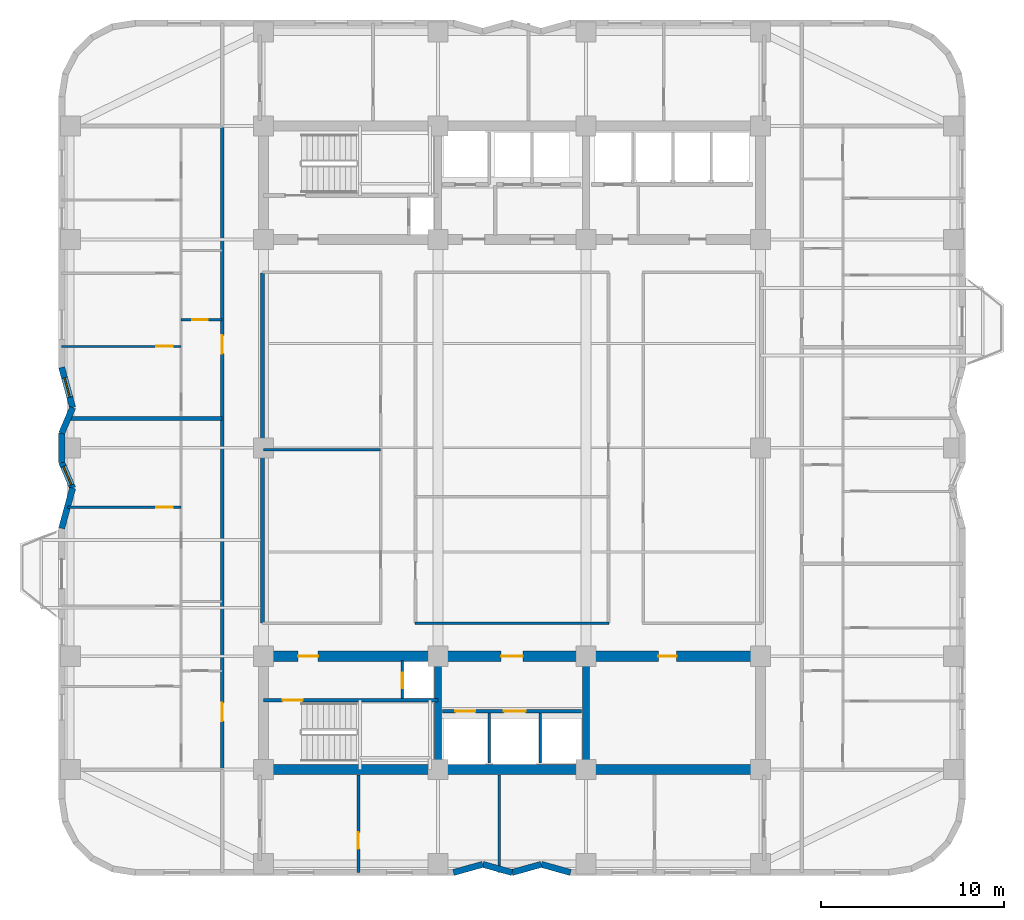
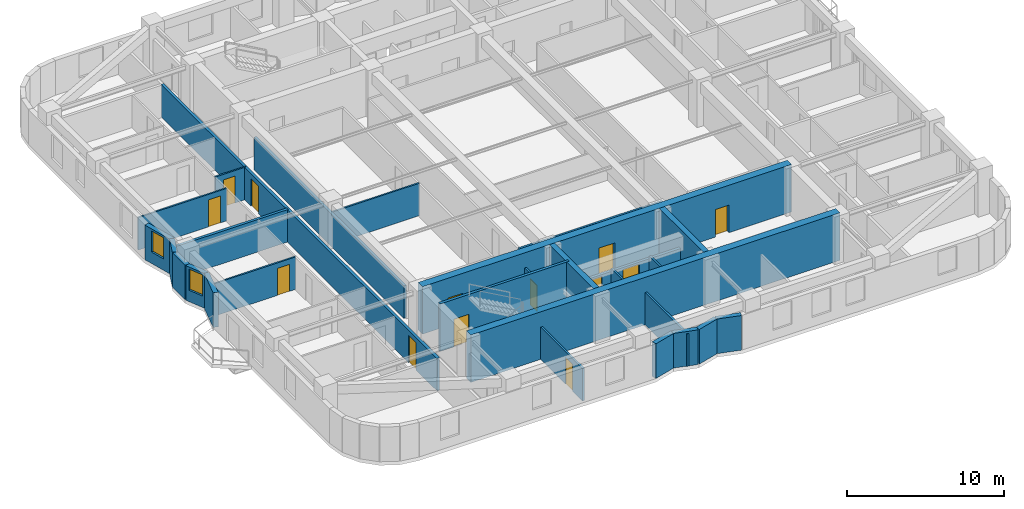
# One storey, part 3 of 9: 28 walls, 13 doors, 2 windows, 15 openings.
"""IFC4 building model written with IfcOpenShell, lengths in metres."""

import ifcopenshell
import ifcopenshell.guid

model = None  # the IFC model being written
_history = None  # IfcOwnerHistory: only IFC2X3 demands one
_inside = {}  # id of a spatial element -> (the spatial element, [elements in it])
_under = {}  # id of a project, library or spatial element -> (it, [spatial elements below it])
_declared = {}  # id of a project -> (the project, [libraries it declares])
_typed = {}  # id of a type object -> (the type object, [elements of that type])
_made_of = {}  # id of a material, layer set ... -> (it, [elements and type objects made of it])


def new_model(schema):
    """Start an empty IFC model of exactly this schema.

    Asked for "IFC4X3", IfcOpenShell would pick the latest addendum, in which some entities
    have other attributes; the version numbers below select the first issue.
    IFC2X3 requires an IfcOwnerHistory on every rooted entity: one is made here for all.
    """
    global model, _history
    if schema == "IFC4X3":
        model = ifcopenshell.file(schema_version=(4, 3, 0, 0))
    else:
        model = ifcopenshell.file(schema=schema)
    _inside.clear()
    _under.clear()
    _declared.clear()
    _typed.clear()
    _made_of.clear()
    _history = None
    if model.schema == "IFC2X3":
        org = make("IfcOrganization", Name="unknown")
        user = make(
            "IfcPersonAndOrganization",
            ThePerson=make("IfcPerson", FamilyName="unknown"),
            TheOrganization=org,
        )
        app = make(
            "IfcApplication",
            ApplicationDeveloper=org,
            Version="unknown",
            ApplicationFullName="unknown",
            ApplicationIdentifier="unknown",
        )
        _history = make(
            "IfcOwnerHistory",
            OwningUser=user,
            OwningApplication=app,
            ChangeAction="ADDED",
            CreationDate=0,
        )
    return model


def make(cls, **values):
    """One entity of the class cls with the attributes given. An attribute that is None is left unset."""
    return model.create_entity(
        cls, **{name: value for name, value in values.items() if value is not None}
    )


def rooted(cls, **values):
    """An entity with a GlobalId (a new one), such as an element, a storey or a relation."""
    return make(cls, GlobalId=ifcopenshell.guid.new(), OwnerHistory=_history, **values)


def si_unit(unit_type, name, prefix=None):
    """IfcSIUnit, for example si_unit("LENGTHUNIT", "METRE", prefix="MILLI")."""
    return make("IfcSIUnit", UnitType=unit_type, Prefix=prefix, Name=name)


def assignment(units):
    """IfcUnitAssignment: the units of a project."""
    return None if units is None else make("IfcUnitAssignment", Units=units)


def point(xyz):
    """IfcCartesianPoint."""
    return None if xyz is None else make("IfcCartesianPoint", Coordinates=xyz)


def direction(xyz):
    """IfcDirection."""
    return None if xyz is None else make("IfcDirection", DirectionRatios=xyz)


def frame(location, z_axis=None, x_axis=None):
    """IfcAxis2Placement3D, a coordinate frame: its origin and axes. An axis left out is left unset."""
    return make(
        "IfcAxis2Placement3D",
        Location=point(location),
        Axis=direction(z_axis),
        RefDirection=direction(x_axis),
    )


def frame_2d(location, x_axis=None):
    """IfcAxis2Placement2D, a coordinate frame in the plane: its origin and x axis."""
    return make(
        "IfcAxis2Placement2D", Location=point(location), RefDirection=direction(x_axis)
    )


def origin():
    """The frame at (0, 0, 0) with its axes left unset."""
    return frame((0.0, 0.0, 0.0))


def place(relative_to, where):
    """IfcLocalPlacement: puts the frame where relative to a parent placement (None: the world)."""
    return make(
        "IfcLocalPlacement", PlacementRelTo=relative_to, RelativePlacement=where
    )


def context(
    kind, dimensions, precision=None, world=None, true_north=None, identifier=None
):
    """IfcGeometricRepresentationContext, for example the 3D "Model" context."""
    return make(
        "IfcGeometricRepresentationContext",
        ContextIdentifier=identifier,
        ContextType=kind,
        CoordinateSpaceDimension=dimensions,
        Precision=precision,
        WorldCoordinateSystem=world,
        TrueNorth=true_north,
    )


def subcontext(parent, identifier, kind, view, scale=None):
    """IfcGeometricRepresentationSubContext, for example "Body" below "Model"."""
    return make(
        "IfcGeometricRepresentationSubContext",
        ContextIdentifier=identifier,
        ContextType=kind,
        ParentContext=parent,
        TargetScale=scale,
        TargetView=view,
    )


def project(units=None, contexts=None):
    """IfcProject with its units and contexts."""
    return rooted(
        "IfcProject",
        Name="project",
        RepresentationContexts=contexts,
        UnitsInContext=assignment(units),
    )


def spatial(cls, under=None, at=None, **own):
    """A site, building, storey or space (cls), placed at a placement, below another one or the project."""
    s = rooted(cls, ObjectPlacement=at, **own)
    if under is not None:
        _under.setdefault(under.id(), (under, []))[1].append(s)
    return s


def profile(cls, at=None, kind="AREA", **sizes):
    """A parametric profile (cls). Its sizes go by their IFC names, for example OverallWidth=200.0."""
    return make(cls, ProfileType=kind, Position=at, **sizes)


def rectangle(**sizes):
    """IfcRectangleProfileDef."""
    return profile("IfcRectangleProfileDef", **sizes)


def extrude(swept, where, along, depth):
    """IfcExtrudedAreaSolid: the profile swept, set in the frame where, extruded along a direction by depth."""
    return make(
        "IfcExtrudedAreaSolid",
        SweptArea=swept,
        Position=where,
        ExtrudedDirection=direction(along),
        Depth=depth,
    )


def shape(context_of_items, identifier, shape_type, items):
    """IfcShapeRepresentation: the items that make up one representation, for example the "Body"."""
    return make(
        "IfcShapeRepresentation",
        ContextOfItems=context_of_items,
        RepresentationIdentifier=identifier,
        RepresentationType=shape_type,
        Items=items,
    )


def material(Name=None, Category=None):
    """IfcMaterial."""
    return make("IfcMaterial", Name=Name, Category=Category)


def layer(
    of_material, thickness, ventilated=None, Name=None, Category=None, Priority=None
):
    """IfcMaterialLayer: one layer of a wall or slab, of a material (None: an air gap)."""
    return make(
        "IfcMaterialLayer",
        Material=of_material,
        LayerThickness=thickness,
        IsVentilated=ventilated,
        Name=Name,
        Category=Category,
        Priority=Priority,
    )


def layer_set(layers, Name=None):
    """IfcMaterialLayerSet."""
    return make("IfcMaterialLayerSet", MaterialLayers=layers, LayerSetName=Name)


def made_of(thing, what):
    """Note that an element or type object is made of a material, layer set ...; save() writes the relation."""
    if what is not None:
        _made_of.setdefault(what.id(), (what, []))[1].append(thing)
    return thing


def type_object(cls, material=None, **own):
    """A type object (cls), such as IfcWallType, which elements share."""
    return made_of(rooted(cls, **own), material)


def element(
    cls,
    number,
    at=None,
    inside=None,
    cuts=None,
    type_object=None,
    material=None,
    context=None,
    identifier="Body",
    shape_type=None,
    held_by="IfcProductDefinitionShape",
    body=None,
    shapes=None,
    **own,
):
    """One element of the class cls, such as IfcWall. Its Tag is "e" and its number.

    at: its placement. inside: the storey or other place that contains it. cuts: it is an
    opening in that element (IfcRelVoidsElement). A single representation is given by context,
    identifier, shape_type and body (its items); several are given by shapes. held_by: the class
    of the entity that holds the representations. save() writes the other relations.
    """
    e = rooted(cls, Tag="e%d" % number, ObjectPlacement=at, **own)
    if body is not None:
        shapes = [shape(context, identifier, shape_type, body)]
    if shapes is not None:
        e.Representation = make(held_by, Representations=shapes)
    if inside is not None:
        _inside.setdefault(inside.id(), (inside, []))[1].append(e)
    if cuts is not None:
        rooted(
            "IfcRelVoidsElement", RelatingBuildingElement=cuts, RelatedOpeningElement=e
        )
    if type_object is not None:
        _typed.setdefault(type_object.id(), (type_object, []))[1].append(e)
    return made_of(e, material)


def fill(opening, filler):
    """IfcRelFillsElement: the door or window that sits in an opening."""
    return rooted(
        "IfcRelFillsElement",
        RelatingOpeningElement=opening,
        RelatedBuildingElement=filler,
    )


def aggregate(whole, parts):
    """IfcRelAggregates: a whole, such as a stair, and the parts it consists of."""
    return rooted("IfcRelAggregates", RelatingObject=whole, RelatedObjects=parts)


def save(model, path):
    """Write the relations noted so far, then the file.

    IfcRelAggregates (storeys below a building ...), IfcRelContainedInSpatialStructure (elements
    in a storey), IfcRelDefinesByType, IfcRelAssociatesMaterial and IfcRelDeclares: one each for
    every whole, place, type object, material and project.
    """
    for whole, parts in _under.values():
        aggregate(whole, parts)
    for where, things in _inside.values():
        rooted(
            "IfcRelContainedInSpatialStructure",
            RelatedElements=things,
            RelatingStructure=where,
        )
    for kind, things in _typed.values():
        rooted("IfcRelDefinesByType", RelatedObjects=things, RelatingType=kind)
    for what, things in _made_of.values():
        rooted("IfcRelAssociatesMaterial", RelatedObjects=things, RelatingMaterial=what)
    for by, libraries in _declared.values():
        rooted("IfcRelDeclares", RelatingContext=by, RelatedDefinitions=libraries)
    model.write(path)


model = new_model("IFC4")

# Units and contexts
model_context = context("Model", 3, precision=1e-05, world=origin(), true_north=direction((0.0, 1.0)))
body_context = subcontext(model_context, "Body", "Model", "MODEL_VIEW")
ifc_project = project(units=[si_unit("LENGTHUNIT", "METRE"), si_unit("AREAUNIT", "SQUARE_METRE"), si_unit("VOLUMEUNIT", "CUBIC_METRE"), si_unit("PLANEANGLEUNIT", "RADIAN"), si_unit("MASSUNIT", "GRAM", prefix="KILO")], contexts=[model_context])

# Site, building, storey
site_placement = place(None, origin())
site = spatial("IfcSite", under=ifc_project, at=site_placement, CompositionType="ELEMENT")
building_placement = place(site_placement, origin())
building = spatial("IfcBuilding", under=site, at=building_placement, Name="Svetorya Sky Lyceum", CompositionType="ELEMENT")
storey_placement = place(building_placement, frame((0.0, 0.0, 92.0)))
storey = spatial("IfcBuildingStorey", under=building, at=storey_placement, Name="L22", CompositionType="ELEMENT", Elevation=92.0)

# Walls
ifc_material_1 = material(Name="Concrete C40/50", Category="concrete")
ifc_layer_1 = layer(ifc_material_1, 0.39990234375)
ifc_layer_set_1 = layer_set([ifc_layer_1], Name="Concrete C40/50")
wall_type_1 = type_object("IfcWallType", Name="WL-CORE-400", PredefinedType="SHEAR", material=ifc_layer_set_1)
for number, where, z_axis, x_axis, name in (
    (1, (35.14990234375, 10.875, 0.0), (0.0, 0.0, 1.0), (0.0, 1.0, 0.0), "L22 SC Internal Shear Web WEB1"),
    (2, (43.25, 10.875, 0.0), (0.0, 0.0, 1.0), (0.0, 1.0, 0.0), "L22 SC Internal Shear Web WEB2"),
):
    element("IfcWall", number, at=place(storey_placement, frame(where, z_axis=z_axis, x_axis=x_axis)), inside=storey, type_object=wall_type_1, Name=name, PredefinedType="SHEAR", context=body_context, shape_type="SweptSolid", body=[
        extrude(rectangle(XDim=5.64990234375, YDim=0.39990234375, at=frame_2d((2.824951171875, 0.0))), origin(), (0.0, 0.0, 1.0), 3.699951171875),
    ])
ifc_material_2 = material(Name="Concrete C60/75", Category="concrete")
ifc_layer_2 = layer(ifc_material_2, 0.550048828125)
ifc_layer_set_2 = layer_set([ifc_layer_2], Name="Concrete C60/75")
wall_type_2 = type_object("IfcWallType", Name="WL-CORE-550", PredefinedType="SHEAR", material=ifc_layer_set_2)
wall_1_placement = place(storey_placement, frame((52.800048828125, 10.60009765625, 0.0), z_axis=(0.0, 0.0, 1.0), x_axis=(-1.0, 0.0, 0.0)))
element("IfcWall", 3, at=wall_1_placement, inside=storey, type_object=wall_type_2, Name="L22 SC Outer Core Shear Wall", PredefinedType="SHEAR", context=body_context, shape_type="SweptSolid", body=[
    extrude(rectangle(XDim=27.199951171875, YDim=0.550048828125, at=frame_2d((13.60009765625, 0.0))), origin(), (0.0, 0.0, 1.0), 3.699951171875),
])

# Wall, openings, doors
wall_2_placement = place(storey_placement, frame((25.60009765625, 16.800048828125, 0.0), z_axis=(0.0, 0.0, 1.0), x_axis=(1.0, 0.0, 0.0)))
wall_2 = element("IfcWall", 4, at=wall_2_placement, inside=storey, type_object=wall_type_2, Name="L22 SC Inner Core Shear Wall", PredefinedType="SHEAR", context=body_context, shape_type="SweptSolid", body=[
    extrude(rectangle(XDim=27.199951171875, YDim=0.550048828125, at=frame_2d((13.60009765625, 0.0))), origin(), (0.0, 0.0, 1.0), 3.699951171875),
])
opening_1_placement = place(wall_2_placement, frame((1.89990234375, 0.0, 0.0)))
opening_1 = element("IfcOpeningElement", 5, at=opening_1_placement, cuts=wall_2, Name="Opening D-ST1", PredefinedType="OPENING", context=body_context, shape_type="SweptSolid", body=[
    extrude(rectangle(XDim=1.10009765625, YDim=2.14990234375, at=frame_2d((0.550048828125, 1.074951171875))), frame((0.0, 0.284912109375, 0.0), z_axis=(0.0, -1.0, 0.0), x_axis=(1.0, 0.0, 0.0)), (0.0, 0.0, 1.0), 0.570068359375),
])
opening_2_placement = place(wall_2_placement, frame((13.0, 0.0, 0.0)))
opening_2 = element("IfcOpeningElement", 6, at=opening_2_placement, cuts=wall_2, Name="Opening D-FL1", PredefinedType="OPENING", context=body_context, shape_type="SweptSolid", body=[
    extrude(rectangle(XDim=1.199951171875, YDim=2.14990234375, at=frame_2d((0.60009765625, 1.074951171875))), frame((0.0, 0.284912109375, 0.0), z_axis=(0.0, -1.0, 0.0), x_axis=(1.0, 0.0, 0.0)), (0.0, 0.0, 1.0), 0.570068359375),
])
opening_3_placement = place(wall_2_placement, frame((21.60009765625, 0.0, 0.0)))
opening_3 = element("IfcOpeningElement", 7, at=opening_3_placement, cuts=wall_2, Name="Opening D-RM2", PredefinedType="OPENING", context=body_context, shape_type="SweptSolid", body=[
    extrude(rectangle(XDim=1.0, YDim=2.14990234375, at=frame_2d((0.5, 1.074951171875))), frame((0.0, 0.284912109375, 0.0), z_axis=(0.0, -1.0, 0.0), x_axis=(1.0, 0.0, 0.0)), (0.0, 0.0, 1.0), 0.570068359375),
])
ifc_material_3 = material(Name="Powder-coated insulated galvanized stair fire door")
door_type_1 = type_object("IfcDoorType", Name="DR-FIRE-1100", OperationType="SINGLE_SWING_LEFT", PredefinedType="DOOR", material=ifc_material_3)
door_1_placement = place(opening_1_placement, origin())
door_1 = element("IfcDoor", 8, at=door_1_placement, inside=storey, type_object=door_type_1, Name="L22 South Stair Airlock Door", OperationType="SINGLE_SWING_RIGHT", OverallHeight=2.14990234375, OverallWidth=1.10009765625, PredefinedType="DOOR", context=body_context, shape_type="SweptSolid", body=[
    extrude(rectangle(XDim=1.10009765625, YDim=2.14990234375, at=frame_2d((0.550048828125, 1.074951171875))), frame((0.0, 0.02490234375, 0.0), z_axis=(0.0, -1.0, 0.0), x_axis=(1.0, 0.0, 0.0)), (0.0, 0.0, 1.0), 0.050048828125),
])
fill(opening_1, door_1)
ifc_material_4 = material(Name="Powder-coated insulated galvanized fire door")
door_type_2 = type_object("IfcDoorType", Name="DR-FIRE-1200", OperationType="SINGLE_SWING_LEFT", PredefinedType="DOOR", material=ifc_material_4)
door_2_placement = place(opening_2_placement, origin())
door_2 = element("IfcDoor", 9, at=door_2_placement, inside=storey, type_object=door_type_2, Name="L22 South Firefighting Lift Lobby Door", OperationType="SINGLE_SWING_LEFT", OverallHeight=2.14990234375, OverallWidth=1.199951171875, PredefinedType="DOOR", context=body_context, shape_type="SweptSolid", body=[
    extrude(rectangle(XDim=1.199951171875, YDim=2.14990234375, at=frame_2d((0.60009765625, 1.074951171875))), frame((0.0, 0.02490234375, 0.0), z_axis=(0.0, -1.0, 0.0), x_axis=(1.0, 0.0, 0.0)), (0.0, 0.0, 1.0), 0.050048828125),
])
fill(opening_2, door_2)
ifc_material_5 = material(Name="Solid-core oak acoustic room door")
door_type_3 = type_object("IfcDoorType", Name="DR-INT-1000", OperationType="SINGLE_SWING_LEFT", PredefinedType="DOOR", material=ifc_material_5)
door_3_placement = place(opening_3_placement, origin())
door_3 = element("IfcDoor", 10, at=door_3_placement, inside=storey, type_object=door_type_3, Name="L22 Trunk Store Door", OperationType="SINGLE_SWING_LEFT", OverallHeight=2.14990234375, OverallWidth=1.0, PredefinedType="DOOR", context=body_context, shape_type="SweptSolid", body=[
    extrude(rectangle(XDim=1.0, YDim=2.14990234375, at=frame_2d((0.5, 1.074951171875))), frame((0.0, 0.02490234375, 0.0), z_axis=(0.0, -1.0, 0.0), x_axis=(1.0, 0.0, 0.0)), (0.0, 0.0, 1.0), 0.050048828125),
])
fill(opening_3, door_3)

# Walls
ifc_material_6 = material(Name="Putilovo limestone rainscreen on autoclaved cellular masonry", Category="masonry")
ifc_layer_3 = layer(ifc_material_6, 0.340087890625)
ifc_layer_set_3 = layer_set([ifc_layer_3], Name="Putilovo limestone rainscreen on autoclaved cellular masonry")
wall_type_3 = type_object("IfcWallType", Name="WL-EXT-340", PredefinedType="SOLIDWALL", material=ifc_layer_set_3)
wall_3_placement = place(storey_placement, frame((36.0, 4.969970703125, 0.0), z_axis=(0.0, 0.0, 1.0), x_axis=(0.962662902433, 0.270703040766, 0.0)))
element("IfcWall", 11, at=wall_3_placement, inside=storey, type_object=wall_type_3, Name="L22 Limestone Exterior Wall 7M", PredefinedType="SOLIDWALL", context=body_context, shape_type="SweptSolid", body=[
    extrude(rectangle(XDim=1.662109375, YDim=0.340087890625, at=frame_2d((0.8310546875, 0.0))), origin(), (0.0, 0.0, 1.0), 2.699951171875),
])
wall_4_placement = place(storey_placement, frame((37.60009765625, 5.419921875, 0.0), z_axis=(0.0, 0.0, 1.0), x_axis=(0.962652136636, -0.270741322725, 0.0)))
element("IfcWall", 12, at=wall_4_placement, inside=storey, type_object=wall_type_3, Name="L22 Limestone Exterior Wall 8M", PredefinedType="SOLIDWALL", context=body_context, shape_type="SweptSolid", body=[
    extrude(rectangle(XDim=1.661865234375, YDim=0.340087890625, at=frame_2d((0.8310546875, 0.0))), origin(), (0.0, 0.0, 1.0), 2.699951171875),
])
wall_5_placement = place(storey_placement, frame((39.199951171875, 4.969970703125, 0.0), z_axis=(0.0, 0.0, 1.0), x_axis=(0.962662902433, 0.270703040766, 0.0)))
element("IfcWall", 13, at=wall_5_placement, inside=storey, type_object=wall_type_3, Name="L22 Limestone Exterior Wall 9M", PredefinedType="SOLIDWALL", context=body_context, shape_type="SweptSolid", body=[
    extrude(rectangle(XDim=1.662109375, YDim=0.340087890625, at=frame_2d((0.8310546875, 0.0))), origin(), (0.0, 0.0, 1.0), 2.699951171875),
])
wall_6_placement = place(storey_placement, frame((40.800048828125, 5.419921875, 0.0), z_axis=(0.0, 0.0, 1.0), x_axis=(0.962652136636, -0.270741322725, 0.0)))
element("IfcWall", 14, at=wall_6_placement, inside=storey, type_object=wall_type_3, Name="L22 Limestone Exterior Wall 10M", PredefinedType="SOLIDWALL", context=body_context, shape_type="SweptSolid", body=[
    extrude(rectangle(XDim=1.661865234375, YDim=0.340087890625, at=frame_2d((0.8310546875, 0.0))), origin(), (0.0, 0.0, 1.0), 2.699951171875),
])

# Wall, opening, window
wall_7_placement = place(storey_placement, frame((14.570068359375, 32.60009765625, 0.0), z_axis=(0.0, 0.0, 1.0), x_axis=(0.263035877812, -0.96478605244, 0.0)))
wall_7 = element("IfcWall", 15, at=wall_7_placement, inside=storey, type_object=wall_type_3, Name="L22 Limestone Exterior Wall 41M", PredefinedType="SOLIDWALL", context=body_context, shape_type="SweptSolid", body=[
    extrude(rectangle(XDim=2.280517578125, YDim=0.340087890625, at=frame_2d((1.14013671875, 0.0))), origin(), (0.0, 0.0, 1.0), 2.699951171875),
])
opening_4_placement = place(wall_7_placement, frame((0.590087890625, 0.0, 0.889892578125)))
opening_4 = element("IfcOpeningElement", 16, at=opening_4_placement, cuts=wall_7, Name="Opening W-R3", PredefinedType="OPENING", context=body_context, shape_type="SweptSolid", body=[
    extrude(rectangle(XDim=1.10009765625, YDim=1.64990234375, at=frame_2d((0.550048828125, 0.824951171875))), frame((0.0, 0.179931640625, 0.0), z_axis=(0.0, -1.0, 0.0), x_axis=(1.0, 0.0, 0.0)), (0.0, 0.0, 1.0), 0.360107421875),
])
ifc_material_7 = material(Name="Thermally broken aluminium frame with triple low-E glazing", Category="aluminium")
window_type = type_object("IfcWindowType", Name="WN-RES-110", PartitioningType="SINGLE_PANEL", PredefinedType="WINDOW", material=ifc_material_7)
window_1_placement = place(opening_4_placement, origin())
window_1 = element("IfcWindow", 17, at=window_1_placement, inside=storey, type_object=window_type, Name="L22 Facade Window W-R3.41M.1", OverallHeight=1.64990234375, OverallWidth=1.10009765625, PartitioningType="SINGLE_PANEL", PredefinedType="WINDOW", context=body_context, shape_type="SweptSolid", body=[
    extrude(rectangle(XDim=1.10009765625, YDim=1.64990234375, at=frame_2d((0.550048828125, 0.824951171875))), frame((0.0, 0.030029296875, 0.0), z_axis=(0.0, -1.0, 0.0), x_axis=(1.0, 0.0, 0.0)), (0.0, 0.0, 1.0), 0.06005859375),
])
fill(opening_4, window_1)

# Walls
wall_8_placement = place(storey_placement, frame((15.169921875, 30.39990234375, 0.0), z_axis=(0.0, 0.0, 1.0), x_axis=(-0.393861257526, -0.919169902586, 0.0)))
element("IfcWall", 18, at=wall_8_placement, inside=storey, type_object=wall_type_3, Name="L22 Limestone Exterior Wall 42M", PredefinedType="SOLIDWALL", context=body_context, shape_type="SweptSolid", body=[
    extrude(rectangle(XDim=1.52294921875, YDim=0.340087890625, at=frame_2d((0.761474609375, 0.0))), origin(), (0.0, 0.0, 1.0), 2.699951171875),
])
wall_9_placement = place(storey_placement, frame((14.570068359375, 29.0, 0.0), z_axis=(0.0, 0.0, 1.0), x_axis=(0.0, -1.0, 0.0)))
element("IfcWall", 19, at=wall_9_placement, inside=storey, type_object=wall_type_3, Name="L22 Limestone Exterior Wall 43M", PredefinedType="SOLIDWALL", context=body_context, shape_type="SweptSolid", body=[
    extrude(rectangle(XDim=1.60009765625, YDim=0.340087890625, at=frame_2d((0.800048828125, 0.0))), origin(), (0.0, 0.0, 1.0), 2.699951171875),
])

# Wall, opening, window
wall_10_placement = place(storey_placement, frame((14.570068359375, 27.39990234375, 0.0), z_axis=(0.0, 0.0, 1.0), x_axis=(0.393861257526, -0.919169902586, 0.0)))
wall_10 = element("IfcWall", 20, at=wall_10_placement, inside=storey, type_object=wall_type_3, Name="L22 Limestone Exterior Wall 44M", PredefinedType="SOLIDWALL", context=body_context, shape_type="SweptSolid", body=[
    extrude(rectangle(XDim=1.52294921875, YDim=0.340087890625, at=frame_2d((0.761474609375, 0.0))), origin(), (0.0, 0.0, 1.0), 2.699951171875),
])
opening_5_placement = place(wall_10_placement, frame((0.239990234375, 0.0, 0.889892578125)))
opening_5 = element("IfcOpeningElement", 21, at=opening_5_placement, cuts=wall_10, Name="Opening W-R3", PredefinedType="OPENING", context=body_context, shape_type="SweptSolid", body=[
    extrude(rectangle(XDim=1.10009765625, YDim=1.64990234375, at=frame_2d((0.550048828125, 0.824951171875))), frame((0.0, 0.179931640625, 0.0), z_axis=(0.0, -1.0, 0.0), x_axis=(1.0, 0.0, 0.0)), (0.0, 0.0, 1.0), 0.360107421875),
])
window_2_placement = place(opening_5_placement, origin())
window_2 = element("IfcWindow", 22, at=window_2_placement, inside=storey, type_object=window_type, Name="L22 Facade Window W-R3.44M.1", OverallHeight=1.64990234375, OverallWidth=1.10009765625, PartitioningType="SINGLE_PANEL", PredefinedType="WINDOW", context=body_context, shape_type="SweptSolid", body=[
    extrude(rectangle(XDim=1.10009765625, YDim=1.64990234375, at=frame_2d((0.550048828125, 0.824951171875))), frame((0.0, 0.030029296875, 0.0), z_axis=(0.0, -1.0, 0.0), x_axis=(1.0, 0.0, 0.0)), (0.0, 0.0, 1.0), 0.06005859375),
])
fill(opening_5, window_2)

# Walls
wall_11_placement = place(storey_placement, frame((15.169921875, 26.0, 0.0), z_axis=(0.0, 0.0, 1.0), x_axis=(-0.2630630484, -0.964778644336, 0.0)))
element("IfcWall", 23, at=wall_11_placement, inside=storey, type_object=wall_type_3, Name="L22 Limestone Exterior Wall 45M", PredefinedType="SOLIDWALL", context=body_context, shape_type="SweptSolid", body=[
    extrude(rectangle(XDim=2.2802734375, YDim=0.340087890625, at=frame_2d((1.14013671875, 0.0))), origin(), (0.0, 0.0, 1.0), 2.699951171875),
])
ifc_material_8 = material(Name="Twin-stud galvanized framing with double fireboard", Category="gypsum")
ifc_layer_4 = layer(ifc_material_8, 0.1201171875)
ifc_layer_set_4 = layer_set([ifc_layer_4], Name="Twin-stud galvanized framing with double fireboard")
wall_type_4 = type_object("IfcWallType", Name="WL-PART-120", PredefinedType="PARTITIONING", material=ifc_layer_set_4)
wall_12_placement = place(storey_placement, frame((25.60009765625, 28.10009765625, 0.0), z_axis=(0.0, 0.0, 1.0), x_axis=(1.0, 0.0, 0.0)))
element("IfcWall", 24, at=wall_12_placement, inside=storey, type_object=wall_type_4, Name="L22 Interior Partition ISL-HMW", PredefinedType="PARTITIONING", context=body_context, shape_type="SweptSolid", body=[
    extrude(rectangle(XDim=6.419921875, YDim=0.1201171875, at=frame_2d((3.2099609375, 0.0))), origin(), (0.0, 0.0, 1.0), 2.530029296875),
])

# Wall, opening, door
wall_13_placement = place(storey_placement, frame((14.883544921875, 24.949951171875, 0.0), z_axis=(0.0, 0.0, 1.0), x_axis=(1.0, 0.0, 0.0)))
wall_13 = element("IfcWall", 25, at=wall_13_placement, inside=storey, type_object=wall_type_4, Name="L22 Interior Partition W1-WL3", PredefinedType="PARTITIONING", context=body_context, shape_type="SweptSolid", body=[
    extrude(rectangle(XDim=6.216552734375, YDim=0.1201171875, at=frame_2d((3.1083984375, 0.0))), origin(), (0.0, 0.0, 1.0), 2.530029296875),
])
opening_6_placement = place(wall_13_placement, frame((4.866455078125, 0.0, 0.0)))
opening_6 = element("IfcOpeningElement", 26, at=opening_6_placement, cuts=wall_13, Name="Opening D-RM1", PredefinedType="OPENING", context=body_context, shape_type="SweptSolid", body=[
    extrude(rectangle(XDim=0.89990234375, YDim=2.10009765625, at=frame_2d((0.449951171875, 1.050048828125))), frame((0.0, 0.070068359375, 0.0), z_axis=(0.0, -1.0, 0.0), x_axis=(1.0, 0.0, 0.0)), (0.0, 0.0, 1.0), 0.14013671875),
])
ifc_material_9 = material(Name="Lacquered birch veneer internal door")
door_type_4 = type_object("IfcDoorType", Name="DR-INT-900", OperationType="SINGLE_SWING_LEFT", PredefinedType="DOOR", material=ifc_material_9)
door_4_placement = place(opening_6_placement, origin())
door_4 = element("IfcDoor", 27, at=door_4_placement, inside=storey, type_object=door_type_4, Name="Apartment W1 Bedroom 3 Door", OperationType="SINGLE_SWING_LEFT", OverallHeight=2.10009765625, OverallWidth=0.89990234375, PredefinedType="DOOR", context=body_context, shape_type="SweptSolid", body=[
    extrude(rectangle(XDim=0.89990234375, YDim=2.10009765625, at=frame_2d((0.449951171875, 1.050048828125))), frame((0.0, 0.02490234375, 0.0), z_axis=(0.0, -1.0, 0.0), x_axis=(1.0, 0.0, 0.0)), (0.0, 0.0, 1.0), 0.050048828125),
])
fill(opening_6, door_4)

wall_14_placement = place(storey_placement, frame((21.10009765625, 35.199951171875, 0.0), z_axis=(0.0, 0.0, 1.0), x_axis=(1.0, 0.0, 0.0)))
wall_14 = element("IfcWall", 28, at=wall_14_placement, inside=storey, type_object=wall_type_4, Name="L22 Interior Partition W2-WH1", PredefinedType="PARTITIONING", context=body_context, shape_type="SweptSolid", body=[
    extrude(rectangle(XDim=2.25, YDim=0.1201171875, at=frame_2d((1.125, 0.0))), origin(), (0.0, 0.0, 1.0), 2.530029296875),
])
opening_7_placement = place(wall_14_placement, frame((0.60009765625, 0.0, 0.0)))
opening_7 = element("IfcOpeningElement", 29, at=opening_7_placement, cuts=wall_14, Name="Opening D-BT1", PredefinedType="OPENING", context=body_context, shape_type="SweptSolid", body=[
    extrude(rectangle(XDim=0.85009765625, YDim=2.10009765625, at=frame_2d((0.425048828125, 1.050048828125))), frame((0.0, 0.070068359375, 0.0), z_axis=(0.0, -1.0, 0.0), x_axis=(1.0, 0.0, 0.0)), (0.0, 0.0, 1.0), 0.14013671875),
])
ifc_material_10 = material(Name="Moisture-resistant laminate bathroom door")
door_type_5 = type_object("IfcDoorType", Name="DR-WET-850", OperationType="SINGLE_SWING_LEFT", PredefinedType="DOOR", material=ifc_material_10)
door_5_placement = place(opening_7_placement, origin())
door_5 = element("IfcDoor", 30, at=door_5_placement, inside=storey, type_object=door_type_5, Name="Apartment W2 Bathroom Door", OperationType="SINGLE_SWING_RIGHT", OverallHeight=2.10009765625, OverallWidth=0.85009765625, PredefinedType="DOOR", context=body_context, shape_type="SweptSolid", body=[
    extrude(rectangle(XDim=0.85009765625, YDim=2.10009765625, at=frame_2d((0.425048828125, 1.050048828125))), frame((0.0, 0.02490234375, 0.0), z_axis=(0.0, -1.0, 0.0), x_axis=(1.0, 0.0, 0.0)), (0.0, 0.0, 1.0), 0.050048828125),
])
fill(opening_7, door_5)

wall_15_placement = place(storey_placement, frame((14.570068359375, 33.75, 0.0), z_axis=(0.0, 0.0, 1.0), x_axis=(1.0, 0.0, 0.0)))
wall_15 = element("IfcWall", 31, at=wall_15_placement, inside=storey, type_object=wall_type_4, Name="L22 Interior Partition W2-WL1", PredefinedType="PARTITIONING", context=body_context, shape_type="SweptSolid", body=[
    extrude(rectangle(XDim=6.530029296875, YDim=0.1201171875, at=frame_2d((3.26513671875, 0.0))), origin(), (0.0, 0.0, 1.0), 2.530029296875),
])
opening_8_placement = place(wall_15_placement, frame((5.179931640625, 0.0, 0.0)))
opening_8 = element("IfcOpeningElement", 32, at=opening_8_placement, cuts=wall_15, Name="Opening D-RM1", PredefinedType="OPENING", context=body_context, shape_type="SweptSolid", body=[
    extrude(rectangle(XDim=0.89990234375, YDim=2.10009765625, at=frame_2d((0.449951171875, 1.050048828125))), frame((0.0, 0.070068359375, 0.0), z_axis=(0.0, -1.0, 0.0), x_axis=(1.0, 0.0, 0.0)), (0.0, 0.0, 1.0), 0.14013671875),
])
door_6_placement = place(opening_8_placement, origin())
door_6 = element("IfcDoor", 33, at=door_6_placement, inside=storey, type_object=door_type_4, Name="Apartment W2 Master Bedroom Door", OperationType="SINGLE_SWING_RIGHT", OverallHeight=2.10009765625, OverallWidth=0.89990234375, PredefinedType="DOOR", context=body_context, shape_type="SweptSolid", body=[
    extrude(rectangle(XDim=0.89990234375, YDim=2.10009765625, at=frame_2d((0.449951171875, 1.050048828125))), frame((0.0, 0.02490234375, 0.0), z_axis=(0.0, -1.0, 0.0), x_axis=(1.0, 0.0, 0.0)), (0.0, 0.0, 1.0), 0.050048828125),
])
fill(opening_8, door_6)

ifc_material_11 = material(Name="Autoclaved cellular masonry blockwork with acoustic render", Category="masonry")
ifc_layer_5 = layer(ifc_material_11, 0.14990234375)
ifc_layer_set_5 = layer_set([ifc_layer_5], Name="Autoclaved cellular masonry blockwork with acoustic render")
wall_type_5 = type_object("IfcWallType", Name="WL-PART-150", PredefinedType="PARTITIONING", material=ifc_layer_set_5)
wall_16_placement = place(storey_placement, frame((33.199951171875, 14.5, 0.0), z_axis=(0.0, 0.0, 1.0), x_axis=(0.0, 1.0, 0.0)))
wall_16 = element("IfcWall", 34, at=wall_16_placement, inside=storey, type_object=wall_type_5, Name="L22 Interior Partition SC-AIRDIV", PredefinedType="PARTITIONING", context=body_context, shape_type="SweptSolid", body=[
    extrude(rectangle(XDim=2.080078125, YDim=0.14990234375, at=frame_2d((1.0400390625, 0.0))), origin(), (0.0, 0.0, 1.0), 2.530029296875),
])
opening_9_placement = place(wall_16_placement, frame((0.550048828125, 0.0, 0.0)))
opening_9 = element("IfcOpeningElement", 35, at=opening_9_placement, cuts=wall_16, Name="Opening D-SH1", PredefinedType="OPENING", context=body_context, shape_type="SweptSolid", body=[
    extrude(rectangle(XDim=0.85009765625, YDim=2.050048828125, at=frame_2d((0.425048828125, 1.02490234375))), frame((0.0, 0.0849609375, 0.0), z_axis=(0.0, -1.0, 0.0), x_axis=(1.0, 0.0, 0.0)), (0.0, 0.0, 1.0), 0.169921875),
])
ifc_material_12 = material(Name="Insulated galvanized riser inspection fire door")
door_type_6 = type_object("IfcDoorType", Name="DR-SHFT-850", OperationType="SINGLE_SWING_LEFT", PredefinedType="TRAPDOOR", material=ifc_material_12)
door_7_placement = place(opening_9_placement, origin())
door_7 = element("IfcDoor", 36, at=door_7_placement, inside=storey, type_object=door_type_6, Name="L22 South Riser Access Door", OperationType="SINGLE_SWING_RIGHT", OverallHeight=2.050048828125, OverallWidth=0.85009765625, PredefinedType="TRAPDOOR", context=body_context, shape_type="SweptSolid", body=[
    extrude(rectangle(XDim=0.85009765625, YDim=2.050048828125, at=frame_2d((0.425048828125, 1.02490234375))), frame((0.0, 0.02490234375, 0.0), z_axis=(0.0, -1.0, 0.0), x_axis=(1.0, 0.0, 0.0)), (0.0, 0.0, 1.0), 0.050048828125),
])
fill(opening_9, door_7)

# Walls
for number, where, z_axis, x_axis, name in (
    (37, (37.949951171875, 10.949951171875, 0.0), (0.0, 0.0, 1.0), (0.0, 1.0, 0.0), "L22 Interior Partition SC-SHD1"),
    (38, (40.75, 10.949951171875, 0.0), (0.0, 0.0, 1.0), (0.0, 1.0, 0.0), "L22 Interior Partition SC-SHD2"),
):
    element("IfcWall", number, at=place(storey_placement, frame(where, z_axis=z_axis, x_axis=x_axis)), inside=storey, type_object=wall_type_5, Name=name, PredefinedType="PARTITIONING", context=body_context, shape_type="SweptSolid", body=[
        extrude(rectangle(XDim=2.75, YDim=0.14990234375, at=frame_2d((1.375, 0.0))), origin(), (0.0, 0.0, 1.0), 2.530029296875),
    ])
wall_17_placement = place(storey_placement, frame((33.89990234375, 18.60009765625, 0.0), z_axis=(0.0, 0.0, 1.0), x_axis=(1.0, 0.0, 0.0)))
element("IfcWall", 39, at=wall_17_placement, inside=storey, type_object=wall_type_5, Name="L22 Interior Partition RL-CS-M", PredefinedType="PARTITIONING", context=body_context, shape_type="SweptSolid", body=[
    extrude(rectangle(XDim=10.60009765625, YDim=0.14990234375, at=frame_2d((5.300048828125, 0.0))), origin(), (0.0, 0.0, 1.0), 2.530029296875),
])

# Wall, opening, door
wall_18_placement = place(storey_placement, frame((30.800048828125, 4.969970703125, 0.0), z_axis=(0.0, 0.0, 1.0), x_axis=(0.0, 1.0, 0.0)))
wall_18 = element("IfcWall", 40, at=wall_18_placement, inside=storey, type_object=wall_type_5, Name="L22 Interior Partition S4-D1", PredefinedType="PARTITIONING", context=body_context, shape_type="SweptSolid", body=[
    extrude(rectangle(XDim=5.330078125, YDim=0.14990234375, at=frame_2d((2.6650390625, 0.0))), origin(), (0.0, 0.0, 1.0), 2.530029296875),
])
opening_10_placement = place(wall_18_placement, frame((1.300048828125, 0.0, 0.0)))
opening_10 = element("IfcOpeningElement", 41, at=opening_10_placement, cuts=wall_18, Name="Opening D-RM1", PredefinedType="OPENING", context=body_context, shape_type="SweptSolid", body=[
    extrude(rectangle(XDim=0.89990234375, YDim=2.10009765625, at=frame_2d((0.449951171875, 1.050048828125))), frame((0.0, 0.0849609375, 0.0), z_axis=(0.0, -1.0, 0.0), x_axis=(1.0, 0.0, 0.0)), (0.0, 0.0, 1.0), 0.169921875),
])
door_8_placement = place(opening_10_placement, origin())
door_8 = element("IfcDoor", 42, at=door_8_placement, inside=storey, type_object=door_type_4, Name="L22 South Suite Door 1", OperationType="SINGLE_SWING_LEFT", OverallHeight=2.10009765625, OverallWidth=0.89990234375, PredefinedType="DOOR", context=body_context, shape_type="SweptSolid", body=[
    extrude(rectangle(XDim=0.89990234375, YDim=2.10009765625, at=frame_2d((0.449951171875, 1.050048828125))), frame((0.0, 0.02490234375, 0.0), z_axis=(0.0, -1.0, 0.0), x_axis=(1.0, 0.0, 0.0)), (0.0, 0.0, 1.0), 0.050048828125),
])
fill(opening_10, door_8)

# Wall
wall_19_placement = place(storey_placement, frame((38.5, 4.969970703125, 0.0), z_axis=(0.0, 0.0, 1.0), x_axis=(0.0, 1.0, 0.0)))
element("IfcWall", 43, at=wall_19_placement, inside=storey, type_object=wall_type_5, Name="L22 Interior Partition S4-D2", PredefinedType="PARTITIONING", context=body_context, shape_type="SweptSolid", body=[
    extrude(rectangle(XDim=5.330078125, YDim=0.14990234375, at=frame_2d((2.6650390625, 0.0))), origin(), (0.0, 0.0, 1.0), 2.530029296875),
])

# Wall, openings, doors
ifc_material_13 = material(Name="Autoclaved cellular masonry blockwork with gypsum plaster", Category="masonry")
ifc_layer_6 = layer(ifc_material_13, 0.199951171875)
ifc_layer_set_6 = layer_set([ifc_layer_6], Name="Autoclaved cellular masonry blockwork with gypsum plaster")
wall_type_6 = type_object("IfcWallType", Name="WL-PART-200", PredefinedType="PARTITIONING", material=ifc_layer_set_6)
wall_20_placement = place(storey_placement, frame((35.39990234375, 13.800048828125, 0.0), z_axis=(0.0, 0.0, 1.0), x_axis=(1.0, 0.0, 0.0)))
wall_20 = element("IfcWall", 44, at=wall_20_placement, inside=storey, type_object=wall_type_6, Name="L22 Interior Partition SC-FLW", PredefinedType="PARTITIONING", context=body_context, shape_type="SweptSolid", body=[
    extrude(rectangle(XDim=7.60009765625, YDim=0.199951171875, at=frame_2d((3.800048828125, 0.0))), origin(), (0.0, 0.0, 1.0), 2.300048828125),
])
opening_11_placement = place(wall_20_placement, frame((0.699951171875, 0.0, 0.0)))
opening_11 = element("IfcOpeningElement", 45, at=opening_11_placement, cuts=wall_20, Name="Opening LD-FL", PredefinedType="OPENING", context=body_context, shape_type="SweptSolid", body=[
    extrude(rectangle(XDim=1.10009765625, YDim=2.14990234375, at=frame_2d((0.550048828125, 1.074951171875))), frame((0.0, 0.10986328125, 0.0), z_axis=(0.0, -1.0, 0.0), x_axis=(1.0, 0.0, 0.0)), (0.0, 0.0, 1.0), 0.219970703125),
])
opening_12_placement = place(wall_20_placement, frame((3.35009765625, 0.0, 0.0)))
opening_12 = element("IfcOpeningElement", 46, at=opening_12_placement, cuts=wall_20, Name="Opening LD-SV", PredefinedType="OPENING", context=body_context, shape_type="SweptSolid", body=[
    extrude(rectangle(XDim=1.199951171875, YDim=2.14990234375, at=frame_2d((0.60009765625, 1.074951171875))), frame((0.0, 0.10986328125, 0.0), z_axis=(0.0, -1.0, 0.0), x_axis=(1.0, 0.0, 0.0)), (0.0, 0.0, 1.0), 0.219970703125),
])
ifc_material_14 = material(Name="Fire-rated stainless AISI 304 firefighting lift landing door")
door_type_7 = type_object("IfcDoorType", Name="DR-LIFT-1100", OperationType="SLIDING_TO_LEFT", PredefinedType="DOOR", material=ifc_material_14)
door_9_placement = place(opening_11_placement, origin())
door_9 = element("IfcDoor", 47, at=door_9_placement, inside=storey, type_object=door_type_7, Name="L22 Firefighting Lift FL2 Landing Door", OperationType="SLIDING_TO_LEFT", OverallHeight=2.14990234375, OverallWidth=1.10009765625, PredefinedType="DOOR", context=body_context, shape_type="SweptSolid", body=[
    extrude(rectangle(XDim=1.10009765625, YDim=2.14990234375, at=frame_2d((0.550048828125, 1.074951171875))), frame((0.0, 0.02490234375, 0.0), z_axis=(0.0, -1.0, 0.0), x_axis=(1.0, 0.0, 0.0)), (0.0, 0.0, 1.0), 0.050048828125),
])
fill(opening_11, door_9)
ifc_material_15 = material(Name="Brushed stainless AISI 304 telescopic lift landing door")
door_type_8 = type_object("IfcDoorType", Name="DR-LIFT-1200", OperationType="SLIDING_TO_LEFT", PredefinedType="DOOR", material=ifc_material_15)
door_10_placement = place(opening_12_placement, origin())
door_10 = element("IfcDoor", 48, at=door_10_placement, inside=storey, type_object=door_type_8, Name="L22 Service Lift SVL1 Landing Door", OperationType="SLIDING_TO_LEFT", OverallHeight=2.14990234375, OverallWidth=1.199951171875, PredefinedType="DOOR", context=body_context, shape_type="SweptSolid", body=[
    extrude(rectangle(XDim=1.199951171875, YDim=2.14990234375, at=frame_2d((0.60009765625, 1.074951171875))), frame((0.0, 0.02490234375, 0.0), z_axis=(0.0, -1.0, 0.0), x_axis=(1.0, 0.0, 0.0)), (0.0, 0.0, 1.0), 0.050048828125),
])
fill(opening_12, door_10)

# Walls
wall_21_placement = place(storey_placement, frame((25.550048828125, 18.6298828125, 0.0), z_axis=(0.0, 0.0, 1.0), x_axis=(0.0, 1.0, 0.0)))
element("IfcWall", 49, at=wall_21_placement, inside=storey, type_object=wall_type_6, Name="L22 Interior Partition W-CEN-SEP", PredefinedType="PARTITIONING", context=body_context, shape_type="SweptSolid", body=[
    extrude(rectangle(XDim=19.14013671875, YDim=0.199951171875, at=frame_2d((9.570068359375, 0.0))), origin(), (0.0, 0.0, 1.0), 2.530029296875),
])
wall_22_placement = place(storey_placement, frame((14.912841796875, 29.800048828125, 0.0), z_axis=(0.0, 0.0, 1.0), x_axis=(1.0, 0.0, 0.0)))
element("IfcWall", 50, at=wall_22_placement, inside=storey, type_object=wall_type_6, Name="L22 Interior Partition W-PARTY-1", PredefinedType="PARTITIONING", context=body_context, shape_type="SweptSolid", body=[
    extrude(rectangle(XDim=8.437255859375, YDim=0.199951171875, at=frame_2d((4.21875, 0.0))), origin(), (0.0, 0.0, 1.0), 2.530029296875),
])

# Wall, openings, doors
wall_23_placement = place(storey_placement, frame((23.35009765625, 10.60009765625, 0.0), z_axis=(0.0, 0.0, 1.0), x_axis=(0.0, 1.0, 0.0)))
wall_23 = element("IfcWall", 51, at=wall_23_placement, inside=storey, type_object=wall_type_6, Name="L22 Interior Partition W-CORRW", PredefinedType="PARTITIONING", context=body_context, shape_type="SweptSolid", body=[
    extrude(rectangle(XDim=35.199951171875, YDim=0.199951171875, at=frame_2d((17.60009765625, 0.0))), origin(), (0.0, 0.0, 1.0), 2.530029296875),
])
opening_13_placement = place(wall_23_placement, frame((2.64990234375, 0.0, 0.0)))
opening_13 = element("IfcOpeningElement", 52, at=opening_13_placement, cuts=wall_23, Name="Opening D-APT1", PredefinedType="OPENING", context=body_context, shape_type="SweptSolid", body=[
    extrude(rectangle(XDim=1.0, YDim=2.14990234375, at=frame_2d((0.5, 1.074951171875))), frame((0.0, 0.10986328125, 0.0), z_axis=(0.0, -1.0, 0.0), x_axis=(1.0, 0.0, 0.0)), (0.0, 0.0, 1.0), 0.219970703125),
])
opening_14_placement = place(wall_23_placement, frame((22.75, 0.0, 0.0)))
opening_14 = element("IfcOpeningElement", 53, at=opening_14_placement, cuts=wall_23, Name="Opening D-APT1", PredefinedType="OPENING", context=body_context, shape_type="SweptSolid", body=[
    extrude(rectangle(XDim=1.0, YDim=2.14990234375, at=frame_2d((0.5, 1.074951171875))), frame((0.0, 0.10986328125, 0.0), z_axis=(0.0, -1.0, 0.0), x_axis=(1.0, 0.0, 0.0)), (0.0, 0.0, 1.0), 0.219970703125),
])
ifc_material_16 = material(Name="Insulated oak-veneered apartment entrance door")
door_type_9 = type_object("IfcDoorType", Name="DR-APT-1000", OperationType="SINGLE_SWING_LEFT", PredefinedType="DOOR", material=ifc_material_16)
door_11_placement = place(opening_13_placement, origin())
door_11 = element("IfcDoor", 54, at=door_11_placement, inside=storey, type_object=door_type_9, Name="L22 Apartment W1 Entrance Door", OperationType="SINGLE_SWING_LEFT", OverallHeight=2.14990234375, OverallWidth=1.0, PredefinedType="DOOR", context=body_context, shape_type="SweptSolid", body=[
    extrude(rectangle(XDim=1.0, YDim=2.14990234375, at=frame_2d((0.5, 1.074951171875))), frame((0.0, 0.02490234375, 0.0), z_axis=(0.0, -1.0, 0.0), x_axis=(1.0, 0.0, 0.0)), (0.0, 0.0, 1.0), 0.050048828125),
])
fill(opening_13, door_11)
door_12_placement = place(opening_14_placement, origin())
door_12 = element("IfcDoor", 55, at=door_12_placement, inside=storey, type_object=door_type_9, Name="L22 Apartment W2 Entrance Door", OperationType="SINGLE_SWING_RIGHT", OverallHeight=2.14990234375, OverallWidth=1.0, PredefinedType="DOOR", context=body_context, shape_type="SweptSolid", body=[
    extrude(rectangle(XDim=1.0, YDim=2.14990234375, at=frame_2d((0.5, 1.074951171875))), frame((0.0, 0.02490234375, 0.0), z_axis=(0.0, -1.0, 0.0), x_axis=(1.0, 0.0, 0.0)), (0.0, 0.0, 1.0), 0.050048828125),
])
fill(opening_14, door_12)

# Wall, opening, door
ifc_material_17 = material(Name="Concrete C50/60", Category="concrete")
ifc_layer_7 = layer(ifc_material_17, 0.199951171875)
ifc_layer_set_7 = layer_set([ifc_layer_7], Name="Concrete C50/60")
wall_type_7 = type_object("IfcWallType", Name="WL-SHW-200", PredefinedType="SHEAR", material=ifc_layer_set_7)
wall_24_placement = place(storey_placement, frame((25.60009765625, 14.39990234375, 0.0), z_axis=(0.0, 0.0, 1.0), x_axis=(1.0, 0.0, 0.0)))
wall_24 = element("IfcWall", 56, at=wall_24_placement, inside=storey, type_object=wall_type_7, Name="L22 Structural Stair Shaft Wall SC-STW", PredefinedType="SHEAR", context=body_context, shape_type="SweptSolid", body=[
    extrude(rectangle(XDim=9.5498046875, YDim=0.199951171875, at=frame_2d((4.77490234375, 0.0))), origin(), (0.0, 0.0, 1.0), 3.699951171875),
])
opening_15_placement = place(wall_24_placement, frame((1.050048828125, 0.0, 0.0)))
opening_15 = element("IfcOpeningElement", 57, at=opening_15_placement, cuts=wall_24, Name="Opening D-ST1", PredefinedType="OPENING", context=body_context, shape_type="SweptSolid", body=[
    extrude(rectangle(XDim=1.10009765625, YDim=2.14990234375, at=frame_2d((0.550048828125, 1.074951171875))), frame((0.0, 0.10986328125, 0.0), z_axis=(0.0, -1.0, 0.0), x_axis=(1.0, 0.0, 0.0)), (0.0, 0.0, 1.0), 0.219970703125),
])
door_13_placement = place(opening_15_placement, origin())
door_13 = element("IfcDoor", 58, at=door_13_placement, inside=storey, type_object=door_type_1, Name="L22 Stair ST-S Vestibule Fire Door", OperationType="SINGLE_SWING_LEFT", OverallHeight=2.14990234375, OverallWidth=1.10009765625, PredefinedType="DOOR", context=body_context, shape_type="SweptSolid", body=[
    extrude(rectangle(XDim=1.10009765625, YDim=2.14990234375, at=frame_2d((0.550048828125, 1.074951171875))), frame((0.0, 0.02490234375, 0.0), z_axis=(0.0, -1.0, 0.0), x_axis=(1.0, 0.0, 0.0)), (0.0, 0.0, 1.0), 0.050048828125),
])
fill(opening_15, door_13)

save(model, "model.ifc")
